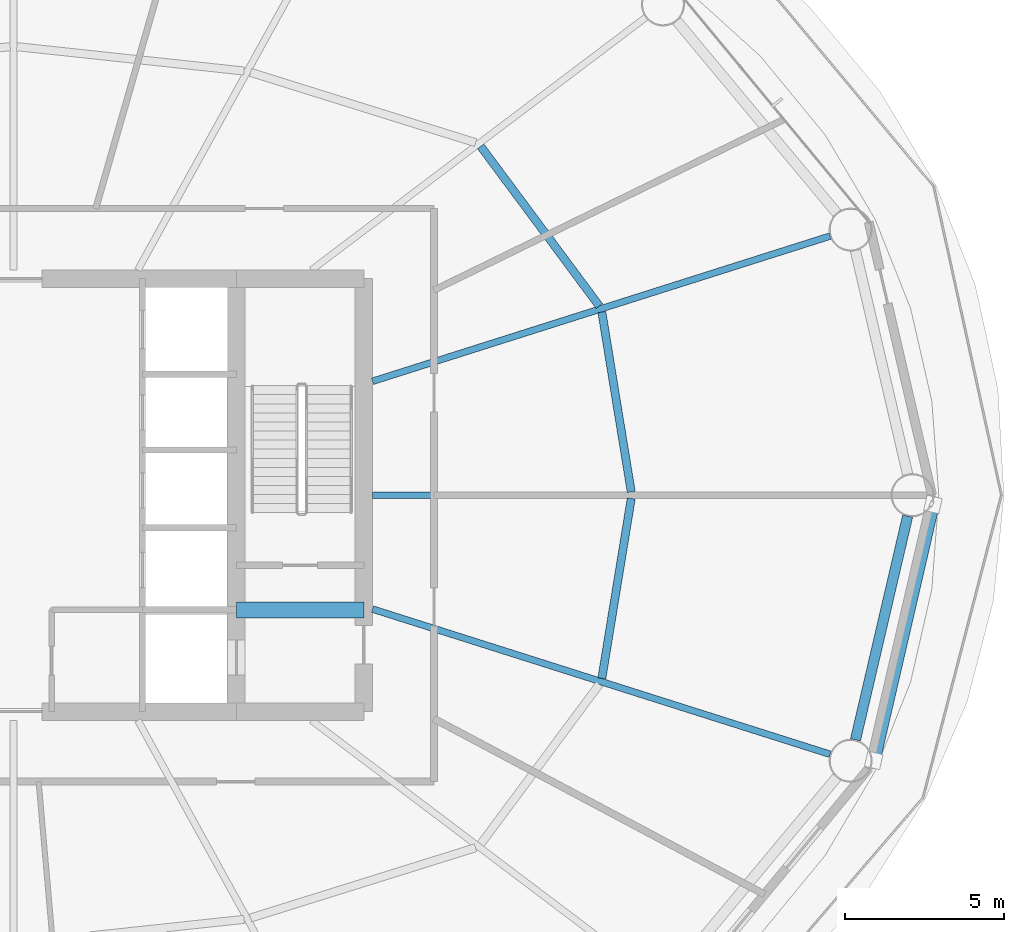
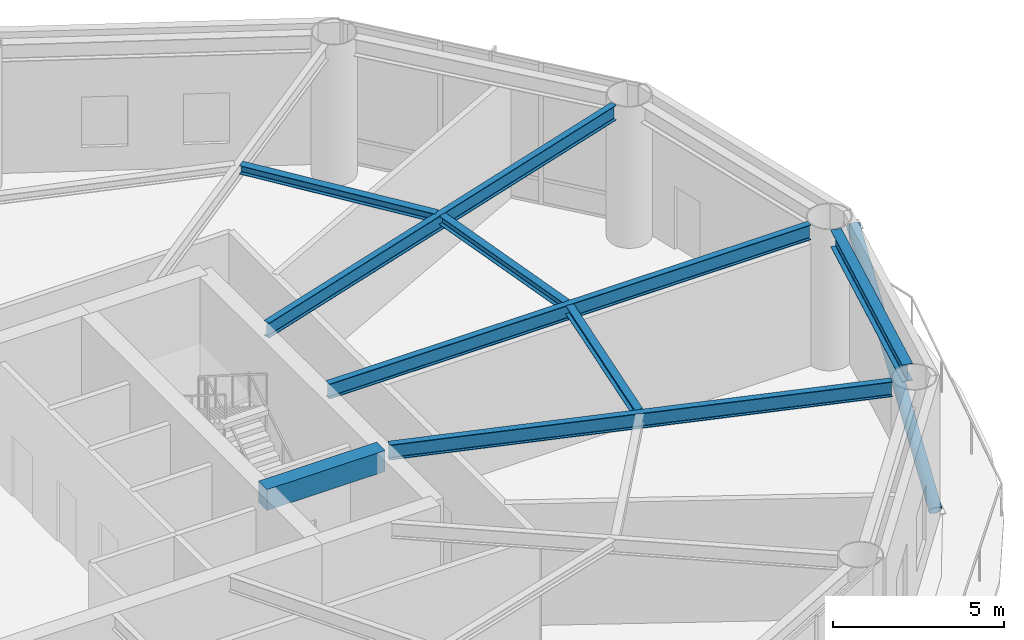
# One storey, part 8 of 25: 8 beams, 1 member.
"""IFC4 building model written with IfcOpenShell, lengths in metres."""

from ifc_helpers import new_model, si_unit, direction, frame, origin, origin_2d, place, context, subcontext, project, spatial, rectangle, hollow_circle, i_section, extrude, material, material_profile, profile_set, type_object, element, save


model = new_model("IFC4")

# Units and contexts
model_context = context("Model", 3, precision=1e-05, world=origin(), true_north=direction((0.0, 1.0)))
body_context = subcontext(model_context, "Body", "Model", "MODEL_VIEW")
ifc_project = project(units=[si_unit("LENGTHUNIT", "METRE"), si_unit("AREAUNIT", "SQUARE_METRE"), si_unit("VOLUMEUNIT", "CUBIC_METRE"), si_unit("PLANEANGLEUNIT", "RADIAN"), si_unit("MASSUNIT", "GRAM", prefix="KILO")], contexts=[model_context])

# Site, building, storey
site_placement = place(None, origin())
site = spatial("IfcSite", under=ifc_project, at=site_placement, CompositionType="ELEMENT")
building_placement = place(site_placement, origin())
building = spatial("IfcBuilding", under=site, at=building_placement, Name="Sarneth Arch Tower", CompositionType="ELEMENT")
storey_placement = place(building_placement, frame((0.0, 0.0, 134.39990234375)))
storey = spatial("IfcBuildingStorey", under=building, at=storey_placement, Name="L34", CompositionType="ELEMENT", Elevation=134.39990234375)

# Beams
ifc_material_1 = material(Name="Steel S355", Category="steel")
ifc_material_profile_1 = material_profile(ifc_material_1, i_section(OverallWidth=0.25390625, OverallDepth=0.305908203125, WebThickness=0.0087890625, FlangeThickness=0.0146484375, FilletRadius=0.014892578125, at=origin_2d()), Name="W310x79")
ifc_profile_set_1 = profile_set([ifc_material_profile_1], Name="Steel S355")
beam_type_1 = type_object("IfcBeamType", Name="BM-JOIST-310A", PredefinedType="JOIST", material=ifc_profile_set_1)
beam_1_placement = place(storey_placement, frame((67.4013671875, 42.10400390625, 4.897216796875), z_axis=(-0.16120310833, 0.986921252109, 0.0), x_axis=(-0.986921252109, -0.16120310833, 0.0)))
element("IfcBeam", 1, at=beam_1_placement, inside=storey, type_object=beam_type_1, Name="L34 Secondary floor joist 01", PredefinedType="JOIST", context=body_context, shape_type="SweptSolid", body=[
    extrude(i_section(OverallWidth=0.25390625, OverallDepth=0.305908203125, WebThickness=0.0087890625, FlangeThickness=0.0146484375, FilletRadius=0.014892578125, at=origin_2d()), origin(), (0.0, 0.0, 1.0), 5.724853515625),
])
beam_2_placement = place(storey_placement, frame((66.3984375, 47.942626953125, 4.897216796875), z_axis=(-0.596354224217, 0.80272139579, 0.0), x_axis=(-0.80272139579, -0.596354224217, 0.0)))
element("IfcBeam", 2, at=beam_2_placement, inside=storey, type_object=beam_type_1, Name="L34 Secondary floor joist 02", PredefinedType="JOIST", context=body_context, shape_type="SweptSolid", body=[
    extrude(i_section(OverallWidth=0.25390625, OverallDepth=0.305908203125, WebThickness=0.0087890625, FlangeThickness=0.0146484375, FilletRadius=0.014892578125, at=origin_2d()), origin(), (0.0, 0.0, 1.0), 6.246337890625),
])
beam_3_placement = place(storey_placement, frame((66.478515625, 36.24609375, 4.897216796875), z_axis=(0.16120310833, 0.986921252109, 0.0), x_axis=(-0.986921252109, 0.16120310833, 0.0)))
element("IfcBeam", 3, at=beam_3_placement, inside=storey, type_object=beam_type_1, Name="L34 Secondary floor joist 16", PredefinedType="JOIST", context=body_context, shape_type="SweptSolid", body=[
    extrude(i_section(OverallWidth=0.25390625, OverallDepth=0.305908203125, WebThickness=0.0087890625, FlangeThickness=0.0146484375, FilletRadius=0.014892578125, at=origin_2d()), origin(), (0.0, 0.0, 1.0), 5.724853515625),
])
ifc_material_2 = material(Name="Concrete C50/60", Category="concrete")
ifc_material_profile_2 = material_profile(ifc_material_2, rectangle(XDim=0.5, YDim=0.75, at=origin_2d()), Name="RC-500x750")
ifc_profile_set_2 = profile_set([ifc_material_profile_2], Name="Concrete C50/60")
beam_type_2 = type_object("IfcBeamType", Name="BM-LINTEL-RC", PredefinedType="LINTEL", material=ifc_profile_set_2)
beam_4_placement = place(storey_placement, frame((55.0, 38.39990234375, 4.675048828125), z_axis=(1.0, 0.0, 0.0), x_axis=(0.0, 1.0, 0.0)))
element("IfcBeam", 4, at=beam_4_placement, inside=storey, type_object=beam_type_2, Name="L34 Core coupling lintel E", PredefinedType="LINTEL", context=body_context, shape_type="SweptSolid", body=[
    extrude(rectangle(XDim=0.5, YDim=0.75, at=origin_2d()), origin(), (0.0, 0.0, 1.0), 4.0),
])
ifc_material_3 = material(Name="Steel S355", Category="steel")
ifc_material_profile_3 = material_profile(ifc_material_3, i_section(OverallWidth=0.2109375, OverallDepth=0.5390625, WebThickness=0.01171875, FlangeThickness=0.018798828125, FilletRadius=0.01806640625, at=origin_2d()), Name="W530x109")
ifc_profile_set_3 = profile_set([ifc_material_profile_3], Name="Steel S355")
beam_type_3 = type_object("IfcBeamType", Name="BM-RAD-530B", PredefinedType="BEAM", material=ifc_profile_set_3)
beam_5_placement = place(storey_placement, frame((59.27490234375, 42.0, 4.780517578125), z_axis=(1.0, 0.0, 0.0), x_axis=(0.0, 1.0, 0.0)))
element("IfcBeam", 5, at=beam_5_placement, inside=storey, type_object=beam_type_3, Name="L34 Radial floor girder 01", PredefinedType="BEAM", context=body_context, shape_type="SweptSolid", body=[
    extrude(i_section(OverallWidth=0.2109375, OverallDepth=0.5390625, WebThickness=0.01171875, FlangeThickness=0.018798828125, FilletRadius=0.01806640625, at=origin_2d()), origin(), (0.0, 0.0, 1.0), 16.28662109375),
])
for number, where, z_axis, x_axis, name in (
    (6, (59.27490234375, 45.57763671875, 4.780517578125), (0.95316257761, 0.302458427958, 0.0), (-0.302458427958, 0.95316257761, 0.0), "L34 Radial floor girder 02"),
    (7, (59.27490234375, 38.42236328125, 4.780517578125), (0.95316257761, -0.302458427958, 0.0), (0.302458427958, 0.95316257761, 0.0), "L34 Radial floor girder 16"),
):
    element("IfcBeam", number, at=place(storey_placement, frame(where, z_axis=z_axis, x_axis=x_axis)), inside=storey, type_object=beam_type_3, Name=name, PredefinedType="BEAM", context=body_context, shape_type="SweptSolid", body=[
        extrude(i_section(OverallWidth=0.2109375, OverallDepth=0.5390625, WebThickness=0.01171875, FlangeThickness=0.018798828125, FilletRadius=0.01806640625, at=origin_2d()), origin(), (0.0, 0.0, 1.0), 15.0791015625),
    ])
ifc_material_4 = material(Name="Steel S355", Category="steel")
ifc_material_profile_4 = material_profile(ifc_material_4, i_section(OverallWidth=0.323974609375, OverallDepth=0.611083984375, WebThickness=0.0126953125, FlangeThickness=0.01904296875, FilletRadius=0.01904296875, at=origin_2d()), Name="W610x155")
ifc_profile_set_4 = profile_set([ifc_material_profile_4], Name="Steel S355")
beam_type_4 = type_object("IfcBeamType", Name="BM-SPAN-610B", PredefinedType="SPANDREL", material=ifc_profile_set_4)
beam_6_placement = place(storey_placement, frame((74.444580078125, 34.31494140625, 4.74462890625), z_axis=(0.22708522689, 0.973874889156, 0.0), x_axis=(-0.973874889156, 0.22708522689, 0.0)))
element("IfcBeam", 8, at=beam_6_placement, inside=storey, type_object=beam_type_4, Name="L34 Perimeter spandrel beam 16", PredefinedType="SPANDREL", context=body_context, shape_type="SweptSolid", body=[
    extrude(i_section(OverallWidth=0.323974609375, OverallDepth=0.611083984375, WebThickness=0.0126953125, FlangeThickness=0.01904296875, FilletRadius=0.01904296875, at=origin_2d()), origin(), (0.0, 0.0, 1.0), 7.216064453125),
])

# Member
ifc_material_5 = material(Name="Steel S355", Category="steel")
ifc_material_profile_5 = material_profile(ifc_material_5, hollow_circle(Radius=0.202880859375, WallThickness=0.01611328125, at=origin_2d()), Name="CHS406x16")
ifc_profile_set_5 = profile_set([ifc_material_profile_5], Name="Steel S355")
member_type = type_object("IfcMemberType", Name="MEM-DIAG-BR2", PredefinedType="BRACE", material=ifc_profile_set_5)
member_placement = place(storey_placement, frame((75.01953125, 33.67041015625, 0.02001953125), z_axis=(0.196182962465, 0.848133855196, 0.49211910033), x_axis=(-0.974275349464, 0.225360918143, 0.0)))
element("IfcMember", 9, at=member_placement, inside=storey, type_object=member_type, Name="L34 Perimeter frame diagonal 16", PredefinedType="BRACE", context=body_context, shape_type="SweptSolid", body=[
    extrude(hollow_circle(Radius=0.202880859375, WallThickness=0.01611328125, at=origin_2d()), origin(), (0.0, 0.0, 1.0), 9.4765625),
])

save(model, "model.ifc")
